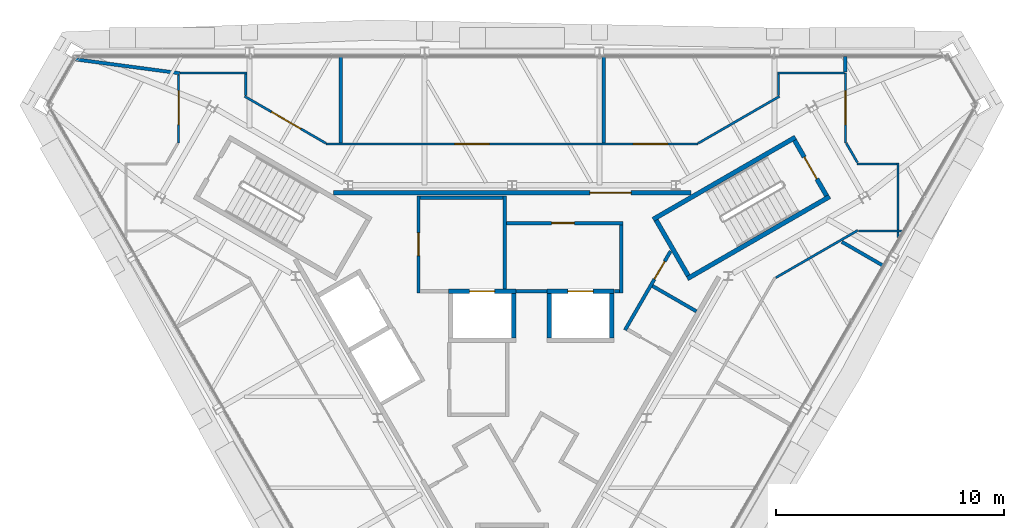
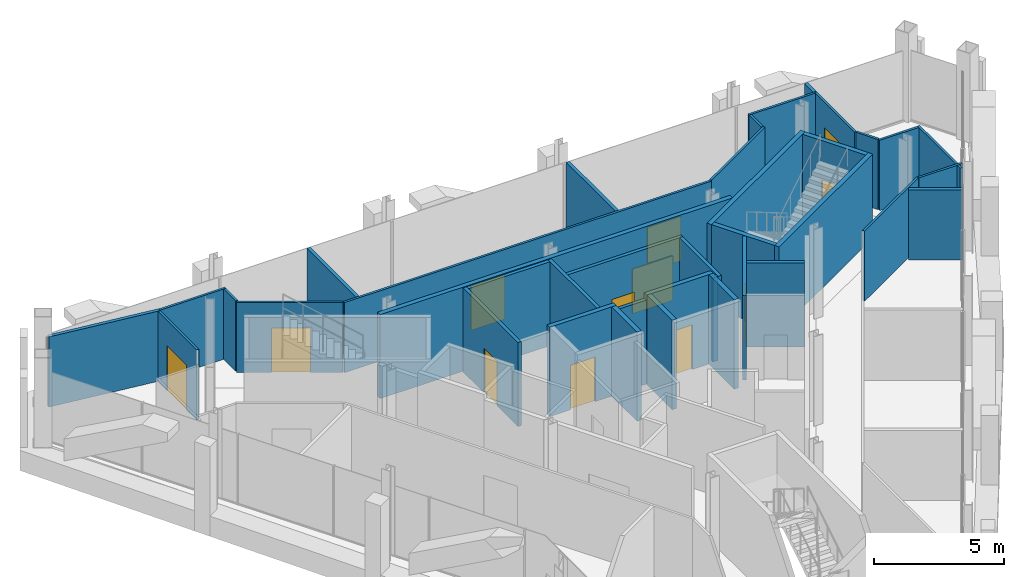
# One storey, part 10 of 13: 38 walls, 12 doors, 12 openings.
"""IFC4 building model written with IfcOpenShell, lengths in metres."""

import ifcopenshell
import ifcopenshell.guid

model = None  # the IFC model being written
_history = None  # IfcOwnerHistory: only IFC2X3 demands one
_inside = {}  # id of a spatial element -> (the spatial element, [elements in it])
_under = {}  # id of a project, library or spatial element -> (it, [spatial elements below it])
_declared = {}  # id of a project -> (the project, [libraries it declares])
_typed = {}  # id of a type object -> (the type object, [elements of that type])
_made_of = {}  # id of a material, layer set ... -> (it, [elements and type objects made of it])


def new_model(schema):
    """Start an empty IFC model of exactly this schema.

    Asked for "IFC4X3", IfcOpenShell would pick the latest addendum, in which some entities
    have other attributes; the version numbers below select the first issue.
    IFC2X3 requires an IfcOwnerHistory on every rooted entity: one is made here for all.
    """
    global model, _history
    if schema == "IFC4X3":
        model = ifcopenshell.file(schema_version=(4, 3, 0, 0))
    else:
        model = ifcopenshell.file(schema=schema)
    _inside.clear()
    _under.clear()
    _declared.clear()
    _typed.clear()
    _made_of.clear()
    _history = None
    if model.schema == "IFC2X3":
        org = make("IfcOrganization", Name="unknown")
        user = make(
            "IfcPersonAndOrganization",
            ThePerson=make("IfcPerson", FamilyName="unknown"),
            TheOrganization=org,
        )
        app = make(
            "IfcApplication",
            ApplicationDeveloper=org,
            Version="unknown",
            ApplicationFullName="unknown",
            ApplicationIdentifier="unknown",
        )
        _history = make(
            "IfcOwnerHistory",
            OwningUser=user,
            OwningApplication=app,
            ChangeAction="ADDED",
            CreationDate=0,
        )
    return model


def make(cls, **values):
    """One entity of the class cls with the attributes given. An attribute that is None is left unset."""
    return model.create_entity(
        cls, **{name: value for name, value in values.items() if value is not None}
    )


def rooted(cls, **values):
    """An entity with a GlobalId (a new one), such as an element, a storey or a relation."""
    return make(cls, GlobalId=ifcopenshell.guid.new(), OwnerHistory=_history, **values)


def si_unit(unit_type, name, prefix=None):
    """IfcSIUnit, for example si_unit("LENGTHUNIT", "METRE", prefix="MILLI")."""
    return make("IfcSIUnit", UnitType=unit_type, Prefix=prefix, Name=name)


def assignment(units):
    """IfcUnitAssignment: the units of a project."""
    return None if units is None else make("IfcUnitAssignment", Units=units)


def point(xyz):
    """IfcCartesianPoint."""
    return None if xyz is None else make("IfcCartesianPoint", Coordinates=xyz)


def direction(xyz):
    """IfcDirection."""
    return None if xyz is None else make("IfcDirection", DirectionRatios=xyz)


def frame(location, z_axis=None, x_axis=None):
    """IfcAxis2Placement3D, a coordinate frame: its origin and axes. An axis left out is left unset."""
    return make(
        "IfcAxis2Placement3D",
        Location=point(location),
        Axis=direction(z_axis),
        RefDirection=direction(x_axis),
    )


def frame_2d(location, x_axis=None):
    """IfcAxis2Placement2D, a coordinate frame in the plane: its origin and x axis."""
    return make(
        "IfcAxis2Placement2D", Location=point(location), RefDirection=direction(x_axis)
    )


def origin():
    """The frame at (0, 0, 0) with its axes left unset."""
    return frame((0.0, 0.0, 0.0))


def place(relative_to, where):
    """IfcLocalPlacement: puts the frame where relative to a parent placement (None: the world)."""
    return make(
        "IfcLocalPlacement", PlacementRelTo=relative_to, RelativePlacement=where
    )


def context(
    kind, dimensions, precision=None, world=None, true_north=None, identifier=None
):
    """IfcGeometricRepresentationContext, for example the 3D "Model" context."""
    return make(
        "IfcGeometricRepresentationContext",
        ContextIdentifier=identifier,
        ContextType=kind,
        CoordinateSpaceDimension=dimensions,
        Precision=precision,
        WorldCoordinateSystem=world,
        TrueNorth=true_north,
    )


def subcontext(parent, identifier, kind, view, scale=None):
    """IfcGeometricRepresentationSubContext, for example "Body" below "Model"."""
    return make(
        "IfcGeometricRepresentationSubContext",
        ContextIdentifier=identifier,
        ContextType=kind,
        ParentContext=parent,
        TargetScale=scale,
        TargetView=view,
    )


def project(units=None, contexts=None):
    """IfcProject with its units and contexts."""
    return rooted(
        "IfcProject",
        Name="project",
        RepresentationContexts=contexts,
        UnitsInContext=assignment(units),
    )


def spatial(cls, under=None, at=None, **own):
    """A site, building, storey or space (cls), placed at a placement, below another one or the project."""
    s = rooted(cls, ObjectPlacement=at, **own)
    if under is not None:
        _under.setdefault(under.id(), (under, []))[1].append(s)
    return s


def profile(cls, at=None, kind="AREA", **sizes):
    """A parametric profile (cls). Its sizes go by their IFC names, for example OverallWidth=200.0."""
    return make(cls, ProfileType=kind, Position=at, **sizes)


def rectangle(**sizes):
    """IfcRectangleProfileDef."""
    return profile("IfcRectangleProfileDef", **sizes)


def extrude(swept, where, along, depth):
    """IfcExtrudedAreaSolid: the profile swept, set in the frame where, extruded along a direction by depth."""
    return make(
        "IfcExtrudedAreaSolid",
        SweptArea=swept,
        Position=where,
        ExtrudedDirection=direction(along),
        Depth=depth,
    )


def shape(context_of_items, identifier, shape_type, items):
    """IfcShapeRepresentation: the items that make up one representation, for example the "Body"."""
    return make(
        "IfcShapeRepresentation",
        ContextOfItems=context_of_items,
        RepresentationIdentifier=identifier,
        RepresentationType=shape_type,
        Items=items,
    )


def material(Name=None, Category=None):
    """IfcMaterial."""
    return make("IfcMaterial", Name=Name, Category=Category)


def layer(
    of_material, thickness, ventilated=None, Name=None, Category=None, Priority=None
):
    """IfcMaterialLayer: one layer of a wall or slab, of a material (None: an air gap)."""
    return make(
        "IfcMaterialLayer",
        Material=of_material,
        LayerThickness=thickness,
        IsVentilated=ventilated,
        Name=Name,
        Category=Category,
        Priority=Priority,
    )


def layer_set(layers, Name=None):
    """IfcMaterialLayerSet."""
    return make("IfcMaterialLayerSet", MaterialLayers=layers, LayerSetName=Name)


def made_of(thing, what):
    """Note that an element or type object is made of a material, layer set ...; save() writes the relation."""
    if what is not None:
        _made_of.setdefault(what.id(), (what, []))[1].append(thing)
    return thing


def type_object(cls, material=None, **own):
    """A type object (cls), such as IfcWallType, which elements share."""
    return made_of(rooted(cls, **own), material)


def element(
    cls,
    number,
    at=None,
    inside=None,
    cuts=None,
    type_object=None,
    material=None,
    context=None,
    identifier="Body",
    shape_type=None,
    held_by="IfcProductDefinitionShape",
    body=None,
    shapes=None,
    **own,
):
    """One element of the class cls, such as IfcWall. Its Tag is "e" and its number.

    at: its placement. inside: the storey or other place that contains it. cuts: it is an
    opening in that element (IfcRelVoidsElement). A single representation is given by context,
    identifier, shape_type and body (its items); several are given by shapes. held_by: the class
    of the entity that holds the representations. save() writes the other relations.
    """
    e = rooted(cls, Tag="e%d" % number, ObjectPlacement=at, **own)
    if body is not None:
        shapes = [shape(context, identifier, shape_type, body)]
    if shapes is not None:
        e.Representation = make(held_by, Representations=shapes)
    if inside is not None:
        _inside.setdefault(inside.id(), (inside, []))[1].append(e)
    if cuts is not None:
        rooted(
            "IfcRelVoidsElement", RelatingBuildingElement=cuts, RelatedOpeningElement=e
        )
    if type_object is not None:
        _typed.setdefault(type_object.id(), (type_object, []))[1].append(e)
    return made_of(e, material)


def fill(opening, filler):
    """IfcRelFillsElement: the door or window that sits in an opening."""
    return rooted(
        "IfcRelFillsElement",
        RelatingOpeningElement=opening,
        RelatedBuildingElement=filler,
    )


def aggregate(whole, parts):
    """IfcRelAggregates: a whole, such as a stair, and the parts it consists of."""
    return rooted("IfcRelAggregates", RelatingObject=whole, RelatedObjects=parts)


def save(model, path):
    """Write the relations noted so far, then the file.

    IfcRelAggregates (storeys below a building ...), IfcRelContainedInSpatialStructure (elements
    in a storey), IfcRelDefinesByType, IfcRelAssociatesMaterial and IfcRelDeclares: one each for
    every whole, place, type object, material and project.
    """
    for whole, parts in _under.values():
        aggregate(whole, parts)
    for where, things in _inside.values():
        rooted(
            "IfcRelContainedInSpatialStructure",
            RelatedElements=things,
            RelatingStructure=where,
        )
    for kind, things in _typed.values():
        rooted("IfcRelDefinesByType", RelatedObjects=things, RelatingType=kind)
    for what, things in _made_of.values():
        rooted("IfcRelAssociatesMaterial", RelatedObjects=things, RelatingMaterial=what)
    for by, libraries in _declared.values():
        rooted("IfcRelDeclares", RelatingContext=by, RelatedDefinitions=libraries)
    model.write(path)


model = new_model("IFC4")

# Units and contexts
model_context = context("Model", 3, precision=1e-05, world=origin(), true_north=direction((0.0, 1.0)))
body_context = subcontext(model_context, "Body", "Model", "MODEL_VIEW")
ifc_project = project(units=[si_unit("LENGTHUNIT", "METRE"), si_unit("AREAUNIT", "SQUARE_METRE"), si_unit("VOLUMEUNIT", "CUBIC_METRE"), si_unit("PLANEANGLEUNIT", "RADIAN"), si_unit("MASSUNIT", "GRAM", prefix="KILO")], contexts=[model_context])

# Site, building, storey
site_placement = place(None, origin())
site = spatial("IfcSite", under=ifc_project, at=site_placement, CompositionType="ELEMENT")
building_placement = place(site_placement, origin())
building = spatial("IfcBuilding", under=site, at=building_placement, Name="Verrane Prism Tower", CompositionType="ELEMENT")
storey_placement = place(building_placement, frame((0.0, 0.0, 321.0)))
storey = spatial("IfcBuildingStorey", under=building, at=storey_placement, Name="L81", CompositionType="ELEMENT", Elevation=321.0)

# Wall, opening, door
ifc_material_1 = material(Name="Gypsum board partition", Category="other")
ifc_layer_1 = layer(ifc_material_1, 0.199951171875)
ifc_layer_set_1 = layer_set([ifc_layer_1], Name="CW-200 core boundary wall 2 h")
wall_type_1 = type_object("IfcWallType", Name="CW-200 core boundary wall 2 h", PredefinedType="PARTITIONING", material=ifc_layer_set_1)
wall_1_placement = place(storey_placement, frame((7.8291015625, 6.4599609375, 0.0), z_axis=(0.0, 0.0, 1.0), x_axis=(-1.0, 0.0, 0.0)))
wall_1 = element("IfcWall", 1, at=wall_1_placement, inside=storey, type_object=wall_type_1, Name="Core boundary wall CW3-002", PredefinedType="PARTITIONING", context=body_context, shape_type="SweptSolid", body=[
    extrude(rectangle(XDim=15.658203125, YDim=0.199951171875, at=frame_2d((7.8291015625, 0.0))), origin(), (0.0, 0.0, 1.0), 3.949951171875),
])
opening_1_placement = place(wall_1_placement, frame((2.617919921875, 0.0, 0.0)))
opening_1 = element("IfcOpeningElement", 2, at=opening_1_placement, cuts=wall_1, Name="Opening D81506", PredefinedType="OPENING", context=body_context, shape_type="SweptSolid", body=[
    extrude(rectangle(XDim=1.800048828125, YDim=2.10009765625, at=frame_2d((0.89990234375, 1.050048828125))), frame((0.0, 0.10986328125, 0.0), z_axis=(0.0, -1.0, 0.0), x_axis=(1.0, 0.0, 0.0)), (0.0, 0.0, 1.0), 0.219970703125),
])
ifc_material_2 = material(Name="Timber veneered door leaf", Category="wood")
door_type_1 = type_object("IfcDoorType", Name="DR-1800x2100 FD60 double leaf lift lobby", OperationType="NOTDEFINED", PredefinedType="DOOR", material=ifc_material_2)
door_1_placement = place(opening_1_placement, origin())
door_1 = element("IfcDoor", 3, at=door_1_placement, inside=storey, type_object=door_type_1, Name="Lift lobby door D81506", OperationType="DOUBLE_DOOR_SINGLE_SWING", OverallHeight=2.10009765625, OverallWidth=1.800048828125, PredefinedType="DOOR", context=body_context, shape_type="SweptSolid", body=[
    extrude(rectangle(XDim=1.800048828125, YDim=2.10009765625, at=frame_2d((0.89990234375, 1.050048828125))), frame((0.0, 0.02490234375, 0.0), z_axis=(0.0, -1.0, 0.0), x_axis=(1.0, 0.0, 0.0)), (0.0, 0.0, 1.0), 0.050048828125),
])
fill(opening_1, door_1)

ifc_material_3 = material(Name="Concrete C40/50", Category="concrete")
ifc_layer_2 = layer(ifc_material_3, 0.199951171875)
ifc_layer_set_2 = layer_set([ifc_layer_2], Name="CW-200 stair core wall concrete C40/50 3 h")
wall_type_2 = type_object("IfcWallType", Name="CW-200 stair core wall concrete C40/50 3 h", PredefinedType="PARTITIONING", material=ifc_layer_set_2)
wall_2_placement = place(storey_placement, frame((13.777099609375, 6.337646484375, 0.0), z_axis=(0.0, 0.0, 1.0), x_axis=(-0.500049511043, 0.865996816683, 0.0)))
wall_2 = element("IfcWall", 4, at=wall_2_placement, inside=storey, type_object=wall_type_2, Name="Stair 1 enclosure wall", PredefinedType="PARTITIONING", context=body_context, shape_type="SweptSolid", body=[
    extrude(rectangle(XDim=2.800048828125, YDim=0.199951171875, at=frame_2d((1.39990234375, 0.0))), origin(), (0.0, 0.0, 1.0), 3.949951171875),
])
opening_2_placement = place(wall_2_placement, frame((0.849853515625, 0.0, 0.0)))
opening_2 = element("IfcOpeningElement", 5, at=opening_2_placement, cuts=wall_2, Name="Opening D81500", PredefinedType="OPENING", context=body_context, shape_type="SweptSolid", body=[
    extrude(rectangle(XDim=1.10009765625, YDim=2.10009765625, at=frame_2d((0.550048828125, 1.050048828125))), frame((0.0, 0.10986328125, 0.0), z_axis=(0.0, -1.0, 0.0), x_axis=(1.0, 0.0, 0.0)), (0.0, 0.0, 1.0), 0.219970703125),
])
ifc_material_4 = material(Name="Timber veneered door leaf", Category="wood")
door_type_2 = type_object("IfcDoorType", Name="DR-1100x2100 FD90 single leaf stair", OperationType="NOTDEFINED", PredefinedType="DOOR", material=ifc_material_4)
door_2_placement = place(opening_2_placement, origin())
door_2 = element("IfcDoor", 6, at=door_2_placement, inside=storey, type_object=door_type_2, Name="Stair 1 door", OperationType="SINGLE_SWING_LEFT", OverallHeight=2.10009765625, OverallWidth=1.10009765625, PredefinedType="DOOR", context=body_context, shape_type="SweptSolid", body=[
    extrude(rectangle(XDim=1.10009765625, YDim=2.10009765625, at=frame_2d((0.550048828125, 1.050048828125))), frame((0.0, 0.02490234375, 0.0), z_axis=(0.0, -1.0, 0.0), x_axis=(1.0, 0.0, 0.0)), (0.0, 0.0, 1.0), 0.050048828125),
])
fill(opening_2, door_2)

# Walls
for number, where, z_axis, x_axis, name in (
    (7, (6.17822265625, 5.299072265625, 0.0), (0.0, 0.0, 1.0), (0.866033125095, 0.499986626058, 0.0), "Stair 1 enclosure wall"),
    (8, (7.67822265625, 2.700927734375, 0.0), (0.0, 0.0, 1.0), (0.866018442252, 0.500012057535, 0.0), "Stair 1 enclosure wall"),
):
    element("IfcWall", number, at=place(storey_placement, frame(where, z_axis=z_axis, x_axis=x_axis)), inside=storey, type_object=wall_type_2, Name=name, PredefinedType="PARTITIONING", context=body_context, shape_type="SweptSolid", body=[
        extrude(rectangle(XDim=7.199951171875, YDim=0.199951171875, at=frame_2d((3.60009765625, 0.0))), origin(), (0.0, 0.0, 1.0), 3.949951171875),
    ])
wall_3_placement = place(storey_placement, frame((7.71484375, 2.837646484375, 0.0), z_axis=(0.0, 0.0, 1.0), x_axis=(-0.500049511043, 0.865996816683, 0.0)))
element("IfcWall", 9, at=wall_3_placement, inside=storey, type_object=wall_type_2, Name="Stair 1 enclosure wall", PredefinedType="PARTITIONING", context=body_context, shape_type="SweptSolid", body=[
    extrude(rectangle(XDim=2.800048828125, YDim=0.199951171875, at=frame_2d((1.39990234375, 0.0))), origin(), (0.0, 0.0, 1.0), 3.949951171875),
])

# Wall, opening, door
ifc_material_5 = material(Name="Gypsum board shaft wall assembly", Category="other")
ifc_layer_3 = layer(ifc_material_5, 0.199951171875)
ifc_layer_set_3 = layer_set([ifc_layer_3], Name="HW-200 lift shaft wall 2 h")
wall_type_3 = type_object("IfcWallType", Name="HW-200 lift shaft wall 2 h", PredefinedType="PARTITIONING", material=ifc_layer_set_3)
wall_4_placement = place(storey_placement, frame((-2.784912109375, 2.14990234375, 0.0), z_axis=(0.0, 0.0, 1.0), x_axis=(1.0, 0.0, 0.0)))
wall_4 = element("IfcWall", 10, at=wall_4_placement, inside=storey, type_object=wall_type_3, Name="Lift shaft wall", PredefinedType="PARTITIONING", context=body_context, shape_type="SweptSolid", body=[
    extrude(rectangle(XDim=2.949951171875, YDim=0.199951171875, at=frame_2d((1.47509765625, 0.0))), origin(), (0.0, 0.0, 1.0), 4.199951171875),
])
opening_3_placement = place(wall_4_placement, frame((0.925048828125, 0.0, 0.0)))
opening_3 = element("IfcOpeningElement", 11, at=opening_3_placement, cuts=wall_4, Name="Opening D81503", PredefinedType="OPENING", context=body_context, shape_type="SweptSolid", body=[
    extrude(rectangle(XDim=1.10009765625, YDim=2.10009765625, at=frame_2d((0.550048828125, 1.050048828125))), frame((0.0, 0.10986328125, 0.0), z_axis=(0.0, -1.0, 0.0), x_axis=(1.0, 0.0, 0.0)), (0.0, 0.0, 1.0), 0.219970703125),
])
ifc_material_6 = material(Name="Stainless steel sliding landing door", Category="steel")
door_type_3 = type_object("IfcDoorType", Name="LD-1100x2100 lift landing door FD90 sliding", OperationType="NOTDEFINED", PredefinedType="DOOR", material=ifc_material_6)
door_3_placement = place(opening_3_placement, origin())
door_3 = element("IfcDoor", 12, at=door_3_placement, inside=storey, type_object=door_type_3, Name="Fire service lift 1 landing door", OperationType="SLIDING_TO_LEFT", OverallHeight=2.10009765625, OverallWidth=1.10009765625, PredefinedType="DOOR", context=body_context, shape_type="SweptSolid", body=[
    extrude(rectangle(XDim=1.10009765625, YDim=2.10009765625, at=frame_2d((0.550048828125, 1.050048828125))), frame((0.0, 0.02490234375, 0.0), z_axis=(0.0, -1.0, 0.0), x_axis=(1.0, 0.0, 0.0)), (0.0, 0.0, 1.0), 0.050048828125),
])
fill(opening_3, door_3)

wall_5_placement = place(storey_placement, frame((1.52490234375, 2.14990234375, 0.0), z_axis=(0.0, 0.0, 1.0), x_axis=(1.0, 0.0, 0.0)))
wall_5 = element("IfcWall", 13, at=wall_5_placement, inside=storey, type_object=wall_type_3, Name="Lift shaft wall", PredefinedType="PARTITIONING", context=body_context, shape_type="SweptSolid", body=[
    extrude(rectangle(XDim=2.9501953125, YDim=0.199951171875, at=frame_2d((1.47509765625, 0.0))), origin(), (0.0, 0.0, 1.0), 4.199951171875),
])
opening_4_placement = place(wall_5_placement, frame((0.925048828125, 0.0, 0.0)))
opening_4 = element("IfcOpeningElement", 14, at=opening_4_placement, cuts=wall_5, Name="Opening D81504", PredefinedType="OPENING", context=body_context, shape_type="SweptSolid", body=[
    extrude(rectangle(XDim=1.10009765625, YDim=2.10009765625, at=frame_2d((0.550048828125, 1.050048828125))), frame((0.0, 0.10986328125, 0.0), z_axis=(0.0, -1.0, 0.0), x_axis=(1.0, 0.0, 0.0)), (0.0, 0.0, 1.0), 0.219970703125),
])
door_4_placement = place(opening_4_placement, origin())
door_4 = element("IfcDoor", 15, at=door_4_placement, inside=storey, type_object=door_type_3, Name="Fire service lift 2 landing door", OperationType="SLIDING_TO_RIGHT", OverallHeight=2.10009765625, OverallWidth=1.10009765625, PredefinedType="DOOR", context=body_context, shape_type="SweptSolid", body=[
    extrude(rectangle(XDim=1.10009765625, YDim=2.10009765625, at=frame_2d((0.550048828125, 1.050048828125))), frame((0.0, 0.02490234375, 0.0), z_axis=(0.0, -1.0, 0.0), x_axis=(1.0, 0.0, 0.0)), (0.0, 0.0, 1.0), 0.050048828125),
])
fill(opening_4, door_4)

# Walls
for number, where, z_axis, x_axis, name in (
    (16, (4.375, 0.10009765625, 0.0), (0.0, 0.0, 1.0), (0.0, 1.0, 0.0), "Lift shaft wall"),
    (17, (1.625, 0.10009765625, 0.0), (0.0, 0.0, 1.0), (0.0, 1.0, 0.0), "Lift shaft wall"),
    (18, (0.06494140625, 0.10009765625, 0.0), (0.0, 0.0, 1.0), (0.0, 1.0, 0.0), "Lift shaft wall"),
):
    element("IfcWall", number, at=place(storey_placement, frame(where, z_axis=z_axis, x_axis=x_axis)), inside=storey, type_object=wall_type_3, Name=name, PredefinedType="PARTITIONING", context=body_context, shape_type="SweptSolid", body=[
        extrude(rectangle(XDim=1.949951171875, YDim=0.199951171875, at=frame_2d((0.97509765625, 0.0))), origin(), (0.0, 0.0, 1.0), 4.199951171875),
    ])

# Wall, opening, door
ifc_material_7 = material(Name="Gypsum board partition", Category="other")
ifc_layer_4 = layer(ifc_material_7, 0.14990234375)
ifc_layer_set_4 = layer_set([ifc_layer_4], Name="LF-150 firefighting lobby wall 1 h")
wall_type_4 = type_object("IfcWallType", Name="LF-150 firefighting lobby wall 1 h", PredefinedType="PARTITIONING", material=ifc_layer_set_4)
wall_6_placement = place(storey_placement, frame((-4.10009765625, 2.0849609375, 0.0), z_axis=(0.0, 0.0, 1.0), x_axis=(0.0, 1.0, 0.0)))
wall_6 = element("IfcWall", 19, at=wall_6_placement, inside=storey, type_object=wall_type_4, Name="Firefighting lobby wall LF1-001", PredefinedType="PARTITIONING", context=body_context, shape_type="SweptSolid", body=[
    extrude(rectangle(XDim=4.22998046875, YDim=0.14990234375, at=frame_2d((2.114990234375, 0.0))), origin(), (0.0, 0.0, 1.0), 3.949951171875),
])
opening_5_placement = place(wall_6_placement, frame((1.625, 0.0, 0.0)))
opening_5 = element("IfcOpeningElement", 20, at=opening_5_placement, cuts=wall_6, Name="Opening D81509", PredefinedType="OPENING", context=body_context, shape_type="SweptSolid", body=[
    extrude(rectangle(XDim=1.0, YDim=2.10009765625, at=frame_2d((0.5, 1.050048828125))), frame((0.0, 0.0849609375, 0.0), z_axis=(0.0, -1.0, 0.0), x_axis=(1.0, 0.0, 0.0)), (0.0, 0.0, 1.0), 0.169921875),
])
ifc_material_8 = material(Name="Timber veneered door leaf", Category="wood")
door_type_4 = type_object("IfcDoorType", Name="DR-1000x2100 FD60 single leaf firefighting lobby", OperationType="NOTDEFINED", PredefinedType="DOOR", material=ifc_material_8)
door_5_placement = place(opening_5_placement, origin())
door_5 = element("IfcDoor", 21, at=door_5_placement, inside=storey, type_object=door_type_4, Name="Firefighting lobby door D81509", OperationType="SINGLE_SWING_LEFT", OverallHeight=2.10009765625, OverallWidth=1.0, PredefinedType="DOOR", context=body_context, shape_type="SweptSolid", body=[
    extrude(rectangle(XDim=1.0, YDim=2.10009765625, at=frame_2d((0.5, 1.050048828125))), frame((0.0, 0.02490234375, 0.0), z_axis=(0.0, -1.0, 0.0), x_axis=(1.0, 0.0, 0.0)), (0.0, 0.0, 1.0), 0.050048828125),
])
fill(opening_5, door_5)

# Walls
wall_7_placement = place(storey_placement, frame((-4.02490234375, 6.239990234375, 0.0), z_axis=(0.0, 0.0, 1.0), x_axis=(1.0, 0.0, 0.0)))
element("IfcWall", 22, at=wall_7_placement, inside=storey, type_object=wall_type_4, Name="Firefighting lobby wall LF1-003", PredefinedType="PARTITIONING", context=body_context, shape_type="SweptSolid", body=[
    extrude(rectangle(XDim=3.6298828125, YDim=0.14990234375, at=frame_2d((1.81494140625, 0.0))), origin(), (0.0, 0.0, 1.0), 3.949951171875),
])
wall_8_placement = place(storey_placement, frame((-0.320068359375, 2.251953125, 0.0), z_axis=(0.0, 0.0, 1.0), x_axis=(0.0, 1.0, 0.0)))
element("IfcWall", 23, at=wall_8_placement, inside=storey, type_object=wall_type_4, Name="Firefighting lobby wall LF1-004", PredefinedType="PARTITIONING", context=body_context, shape_type="SweptSolid", body=[
    extrude(rectangle(XDim=4.06298828125, YDim=0.14990234375, at=frame_2d((2.031494140625, 0.0))), origin(), (0.0, 0.0, 1.0), 3.949951171875),
])

# Wall, opening, door
wall_9_placement = place(storey_placement, frame((-0.2451171875, 5.139892578125, 0.0), z_axis=(0.0, 0.0, 1.0), x_axis=(1.0, 0.0, 0.0)))
wall_9 = element("IfcWall", 24, at=wall_9_placement, inside=storey, type_object=wall_type_4, Name="Firefighting lobby wall LF1-005", PredefinedType="PARTITIONING", context=body_context, shape_type="SweptSolid", body=[
    extrude(rectangle(XDim=5.110107421875, YDim=0.14990234375, at=frame_2d((2.55517578125, 0.0))), origin(), (0.0, 0.0, 1.0), 3.949951171875),
])
opening_6_placement = place(wall_9_placement, frame((1.97509765625, 0.0, 0.0)))
opening_6 = element("IfcOpeningElement", 25, at=opening_6_placement, cuts=wall_9, Name="Opening D81512", PredefinedType="OPENING", context=body_context, shape_type="SweptSolid", body=[
    extrude(rectangle(XDim=1.0, YDim=2.10009765625, at=frame_2d((0.5, 1.050048828125))), frame((0.0, 0.0849609375, 0.0), z_axis=(0.0, -1.0, 0.0), x_axis=(1.0, 0.0, 0.0)), (0.0, 0.0, 1.0), 0.169921875),
])
door_6_placement = place(opening_6_placement, origin())
door_6 = element("IfcDoor", 26, at=door_6_placement, inside=storey, type_object=door_type_4, Name="Firefighting lobby door D81512", OperationType="SINGLE_SWING_RIGHT", OverallHeight=2.10009765625, OverallWidth=1.0, PredefinedType="DOOR", context=body_context, shape_type="SweptSolid", body=[
    extrude(rectangle(XDim=1.0, YDim=2.10009765625, at=frame_2d((0.5, 1.050048828125))), frame((0.0, 0.02490234375, 0.0), z_axis=(0.0, -1.0, 0.0), x_axis=(1.0, 0.0, 0.0)), (0.0, 0.0, 1.0), 0.050048828125),
])
fill(opening_6, door_6)

# Walls
wall_10_placement = place(storey_placement, frame((0.1669921875, 2.159912109375, 0.0), z_axis=(0.0, 0.0, 1.0), x_axis=(1.0, 0.0, 0.0)))
element("IfcWall", 27, at=wall_10_placement, inside=storey, type_object=wall_type_4, Name="Firefighting lobby wall LF1-006", PredefinedType="PARTITIONING", context=body_context, shape_type="SweptSolid", body=[
    extrude(rectangle(XDim=1.35595703125, YDim=0.14990234375, at=frame_2d((0.677978515625, 0.0))), origin(), (0.0, 0.0, 1.0), 3.949951171875),
])
wall_11_placement = place(storey_placement, frame((4.47705078125, 2.159912109375, 0.0), z_axis=(0.0, 0.0, 1.0), x_axis=(1.0, 0.0, 0.0)))
element("IfcWall", 28, at=wall_11_placement, inside=storey, type_object=wall_type_4, Name="Firefighting lobby wall LF1-007", PredefinedType="PARTITIONING", context=body_context, shape_type="SweptSolid", body=[
    extrude(rectangle(XDim=0.238037109375, YDim=0.14990234375, at=frame_2d((0.119140625, 0.0))), origin(), (0.0, 0.0, 1.0), 3.949951171875),
])
wall_12_placement = place(storey_placement, frame((4.7900390625, 2.0849609375, 0.0), z_axis=(0.0, 0.0, 1.0), x_axis=(0.0, 1.0, 0.0)))
element("IfcWall", 29, at=wall_12_placement, inside=storey, type_object=wall_type_4, Name="Firefighting lobby wall LF1-008", PredefinedType="PARTITIONING", context=body_context, shape_type="SweptSolid", body=[
    extrude(rectangle(XDim=2.97998046875, YDim=0.14990234375, at=frame_2d((1.489990234375, 0.0))), origin(), (0.0, 0.0, 1.0), 3.949951171875),
])

# Wall, opening, door
ifc_material_9 = material(Name="Gypsum board partition", Category="other")
ifc_layer_5 = layer(ifc_material_9, 0.10009765625)
ifc_layer_set_5 = layer_set([ifc_layer_5], Name="PW-100 crown corridor wall 1 h")
wall_type_5 = type_object("IfcWallType", Name="PW-100 crown corridor wall 1 h", PredefinedType="PARTITIONING", material=ifc_layer_set_5)
wall_13_placement = place(storey_placement, frame((-14.60888671875, 8.64599609375, 0.0), z_axis=(0.0, 0.0, 1.0), x_axis=(0.0, 1.0, 0.0)))
wall_13 = element("IfcWall", 30, at=wall_13_placement, inside=storey, type_object=wall_type_5, Name="Corridor wall 007", PredefinedType="PARTITIONING", context=body_context, shape_type="SweptSolid", body=[
    extrude(rectangle(XDim=2.98291015625, YDim=0.10009765625, at=frame_2d((1.491455078125, 0.0))), origin(), (0.0, 0.0, 1.0), 3.297119140625),
])
opening_7_placement = place(wall_13_placement, frame((0.800048828125, 0.0, 0.0)))
opening_7 = element("IfcOpeningElement", 31, at=opening_7_placement, cuts=wall_13, Name="Opening D81004", PredefinedType="OPENING", context=body_context, shape_type="SweptSolid", body=[
    extrude(rectangle(XDim=1.5, YDim=2.10009765625, at=frame_2d((0.75, 1.050048828125))), frame((0.0, 0.06005859375, 0.0), z_axis=(0.0, -1.0, 0.0), x_axis=(1.0, 0.0, 0.0)), (0.0, 0.0, 1.0), 0.1201171875),
])
ifc_material_10 = material(Name="Timber veneered door leaf", Category="wood")
door_type_5 = type_object("IfcDoorType", Name="DR-1500x2100 FD60 double leaf unit", OperationType="NOTDEFINED", PredefinedType="DOOR", material=ifc_material_10)
door_7_placement = place(opening_7_placement, origin())
door_7 = element("IfcDoor", 32, at=door_7_placement, inside=storey, type_object=door_type_5, Name="Mechanical Plant Room door", OperationType="DOUBLE_DOOR_SINGLE_SWING", OverallHeight=2.10009765625, OverallWidth=1.5, PredefinedType="DOOR", context=body_context, shape_type="SweptSolid", body=[
    extrude(rectangle(XDim=1.5, YDim=2.10009765625, at=frame_2d((0.75, 1.050048828125))), frame((0.0, 0.02490234375, 0.0), z_axis=(0.0, -1.0, 0.0), x_axis=(1.0, 0.0, 0.0)), (0.0, 0.0, 1.0), 0.050048828125),
])
fill(opening_7, door_7)

# Walls
wall_14_placement = place(storey_placement, frame((-14.549072265625, 11.708984375, 0.0), z_axis=(0.0, 0.0, 1.0), x_axis=(1.0, 0.0, 0.0)))
element("IfcWall", 33, at=wall_14_placement, inside=storey, type_object=wall_type_5, Name="Corridor wall 008", PredefinedType="PARTITIONING", context=body_context, shape_type="SweptSolid", body=[
    extrude(rectangle(XDim=2.927978515625, YDim=0.10009765625, at=frame_2d((1.4638671875, 0.0))), origin(), (0.0, 0.0, 1.0), 3.297119140625),
])
wall_15_placement = place(storey_placement, frame((-11.6708984375, 10.73388671875, 0.0), z_axis=(0.0, 0.0, 1.0), x_axis=(0.0, 1.0, 0.0)))
element("IfcWall", 34, at=wall_15_placement, inside=storey, type_object=wall_type_5, Name="Corridor wall 010", PredefinedType="PARTITIONING", context=body_context, shape_type="SweptSolid", body=[
    extrude(rectangle(XDim=0.925048828125, YDim=0.10009765625, at=frame_2d((0.46240234375, 0.0))), origin(), (0.0, 0.0, 1.0), 3.297119140625),
])

# Wall, opening, door
wall_16_placement = place(storey_placement, frame((-11.71435546875, 10.68896484375, 0.0), z_axis=(0.0, 0.0, 1.0), x_axis=(0.866029215606, -0.499993397673, 0.0)))
wall_16 = element("IfcWall", 35, at=wall_16_placement, inside=storey, type_object=wall_type_5, Name="Corridor wall 011", PredefinedType="PARTITIONING", context=body_context, shape_type="SweptSolid", body=[
    extrude(rectangle(XDim=4.10791015625, YDim=0.10009765625, at=frame_2d((2.053955078125, 0.0))), origin(), (0.0, 0.0, 1.0), 3.297119140625),
])
opening_8_placement = place(wall_16_placement, frame((1.35009765625, 0.0, 0.0)))
opening_8 = element("IfcOpeningElement", 36, at=opening_8_placement, cuts=wall_16, Name="Opening D81003", PredefinedType="OPENING", context=body_context, shape_type="SweptSolid", body=[
    extrude(rectangle(XDim=1.5, YDim=2.10009765625, at=frame_2d((0.75, 1.050048828125))), frame((0.0, 0.06005859375, 0.0), z_axis=(0.0, -1.0, 0.0), x_axis=(1.0, 0.0, 0.0)), (0.0, 0.0, 1.0), 0.1201171875),
])
door_8_placement = place(opening_8_placement, origin())
door_8 = element("IfcDoor", 37, at=door_8_placement, inside=storey, type_object=door_type_5, Name="Mechanical Plant Room door", OperationType="DOUBLE_DOOR_SINGLE_SWING", OverallHeight=2.10009765625, OverallWidth=1.5, PredefinedType="DOOR", context=body_context, shape_type="SweptSolid", body=[
    extrude(rectangle(XDim=1.5, YDim=2.10009765625, at=frame_2d((0.75, 1.050048828125))), frame((0.0, 0.02490234375, 0.0), z_axis=(0.0, -1.0, 0.0), x_axis=(1.0, 0.0, 0.0)), (0.0, 0.0, 1.0), 0.050048828125),
])
fill(opening_8, door_8)

# Wall, openings, doors
wall_17_placement = place(storey_placement, frame((-8.14599609375, 8.60009765625, 0.0), z_axis=(0.0, 0.0, 1.0), x_axis=(1.0, 0.0, 0.0)))
wall_17 = element("IfcWall", 38, at=wall_17_placement, inside=storey, type_object=wall_type_5, Name="Corridor wall 013", PredefinedType="PARTITIONING", context=body_context, shape_type="SweptSolid", body=[
    extrude(rectangle(XDim=16.2919921875, YDim=0.10009765625, at=frame_2d((8.14599609375, 0.0))), origin(), (0.0, 0.0, 1.0), 3.297119140625),
])
opening_9_placement = place(wall_17_placement, frame((13.4619140625, 0.0, 0.0)))
opening_9 = element("IfcOpeningElement", 39, at=opening_9_placement, cuts=wall_17, Name="Opening D81001", PredefinedType="OPENING", context=body_context, shape_type="SweptSolid", body=[
    extrude(rectangle(XDim=1.5, YDim=2.10009765625, at=frame_2d((0.75, 1.050048828125))), frame((0.0, 0.06005859375, 0.0), z_axis=(0.0, -1.0, 0.0), x_axis=(1.0, 0.0, 0.0)), (0.0, 0.0, 1.0), 0.1201171875),
])
opening_10_placement = place(wall_17_placement, frame((5.64111328125, 0.0, 0.0)))
opening_10 = element("IfcOpeningElement", 40, at=opening_10_placement, cuts=wall_17, Name="Opening D81002", PredefinedType="OPENING", context=body_context, shape_type="SweptSolid", body=[
    extrude(rectangle(XDim=1.5, YDim=2.10009765625, at=frame_2d((0.75, 1.050048828125))), frame((0.0, 0.06005859375, 0.0), z_axis=(0.0, -1.0, 0.0), x_axis=(1.0, 0.0, 0.0)), (0.0, 0.0, 1.0), 0.1201171875),
])
door_9_placement = place(opening_9_placement, origin())
door_9 = element("IfcDoor", 41, at=door_9_placement, inside=storey, type_object=door_type_5, Name="Mechanical Plant Room door", OperationType="DOUBLE_DOOR_SINGLE_SWING", OverallHeight=2.10009765625, OverallWidth=1.5, PredefinedType="DOOR", context=body_context, shape_type="SweptSolid", body=[
    extrude(rectangle(XDim=1.5, YDim=2.10009765625, at=frame_2d((0.75, 1.050048828125))), frame((0.0, 0.02490234375, 0.0), z_axis=(0.0, -1.0, 0.0), x_axis=(1.0, 0.0, 0.0)), (0.0, 0.0, 1.0), 0.050048828125),
])
fill(opening_9, door_9)
door_10_placement = place(opening_10_placement, origin())
door_10 = element("IfcDoor", 42, at=door_10_placement, inside=storey, type_object=door_type_5, Name="Mechanical Plant Room door", OperationType="DOUBLE_DOOR_SINGLE_SWING", OverallHeight=2.10009765625, OverallWidth=1.5, PredefinedType="DOOR", context=body_context, shape_type="SweptSolid", body=[
    extrude(rectangle(XDim=1.5, YDim=2.10009765625, at=frame_2d((0.75, 1.050048828125))), frame((0.0, 0.02490234375, 0.0), z_axis=(0.0, -1.0, 0.0), x_axis=(1.0, 0.0, 0.0)), (0.0, 0.0, 1.0), 0.050048828125),
])
fill(opening_10, door_10)

# Walls
wall_18_placement = place(storey_placement, frame((8.15673828125, 8.635009765625, 0.0), z_axis=(0.0, 0.0, 1.0), x_axis=(0.866029215606, 0.499993397673, 0.0)))
element("IfcWall", 43, at=wall_18_placement, inside=storey, type_object=wall_type_5, Name="Corridor wall 024", PredefinedType="PARTITIONING", context=body_context, shape_type="SweptSolid", body=[
    extrude(rectangle(XDim=4.10791015625, YDim=0.10009765625, at=frame_2d((2.053955078125, 0.0))), origin(), (0.0, 0.0, 1.0), 3.297119140625),
])
wall_19_placement = place(storey_placement, frame((11.556640625, 2.74609375, 0.0), z_axis=(0.0, 0.0, 1.0), x_axis=(0.866005840187, 0.500033883614, 0.0)))
element("IfcWall", 44, at=wall_19_placement, inside=storey, type_object=wall_type_5, Name="Corridor wall 026", PredefinedType="PARTITIONING", context=body_context, shape_type="SweptSolid", body=[
    extrude(rectangle(XDim=4.139404296875, YDim=0.10009765625, at=frame_2d((2.06982421875, 0.0))), origin(), (0.0, 0.0, 1.0), 3.297119140625),
])
wall_20_placement = place(storey_placement, frame((11.6708984375, 10.73388671875, 0.0), z_axis=(0.0, 0.0, 1.0), x_axis=(0.0, 1.0, 0.0)))
element("IfcWall", 45, at=wall_20_placement, inside=storey, type_object=wall_type_5, Name="Corridor wall 027", PredefinedType="PARTITIONING", context=body_context, shape_type="SweptSolid", body=[
    extrude(rectangle(XDim=0.925048828125, YDim=0.10009765625, at=frame_2d((0.46240234375, 0.0))), origin(), (0.0, 0.0, 1.0), 3.297119140625),
])
wall_21_placement = place(storey_placement, frame((11.62109375, 11.708984375, 0.0), z_axis=(0.0, 0.0, 1.0), x_axis=(1.0, 0.0, 0.0)))
element("IfcWall", 46, at=wall_21_placement, inside=storey, type_object=wall_type_5, Name="Corridor wall 028", PredefinedType="PARTITIONING", context=body_context, shape_type="SweptSolid", body=[
    extrude(rectangle(XDim=2.93798828125, YDim=0.10009765625, at=frame_2d((1.468994140625, 0.0))), origin(), (0.0, 0.0, 1.0), 3.297119140625),
])

# Wall, opening, door
wall_22_placement = place(storey_placement, frame((14.60888671875, 11.708984375, 0.0), z_axis=(0.0, 0.0, 1.0), x_axis=(0.0, -1.0, 0.0)))
wall_22 = element("IfcWall", 47, at=wall_22_placement, inside=storey, type_object=wall_type_5, Name="Corridor wall 031", PredefinedType="PARTITIONING", context=body_context, shape_type="SweptSolid", body=[
    extrude(rectangle(XDim=3.06298828125, YDim=0.10009765625, at=frame_2d((1.531494140625, 0.0))), origin(), (0.0, 0.0, 1.0), 3.297119140625),
])
opening_11_placement = place(wall_22_placement, frame((0.762939453125, 0.0, 0.0)))
opening_11 = element("IfcOpeningElement", 48, at=opening_11_placement, cuts=wall_22, Name="Opening D81011", PredefinedType="OPENING", context=body_context, shape_type="SweptSolid", body=[
    extrude(rectangle(XDim=1.5, YDim=2.10009765625, at=frame_2d((0.75, 1.050048828125))), frame((0.0, 0.06005859375, 0.0), z_axis=(0.0, -1.0, 0.0), x_axis=(1.0, 0.0, 0.0)), (0.0, 0.0, 1.0), 0.1201171875),
])
door_11_placement = place(opening_11_placement, origin())
door_11 = element("IfcDoor", 49, at=door_11_placement, inside=storey, type_object=door_type_5, Name="Mechanical Plant Room door", OperationType="DOUBLE_DOOR_SINGLE_SWING", OverallHeight=2.10009765625, OverallWidth=1.5, PredefinedType="DOOR", context=body_context, shape_type="SweptSolid", body=[
    extrude(rectangle(XDim=1.5, YDim=2.10009765625, at=frame_2d((0.75, 1.050048828125))), frame((0.0, 0.02490234375, 0.0), z_axis=(0.0, -1.0, 0.0), x_axis=(1.0, 0.0, 0.0)), (0.0, 0.0, 1.0), 0.050048828125),
])
fill(opening_11, door_11)

# Walls
wall_23_placement = place(storey_placement, frame((14.64404296875, 8.63525390625, 0.0), z_axis=(0.0, 0.0, 1.0), x_axis=(0.499823463829, -0.866127303003, 0.0)))
element("IfcWall", 50, at=wall_23_placement, inside=storey, type_object=wall_type_5, Name="Corridor wall 032", PredefinedType="PARTITIONING", context=body_context, shape_type="SweptSolid", body=[
    extrude(rectangle(XDim=0.976318359375, YDim=0.10009765625, at=frame_2d((0.48828125, 0.0))), origin(), (0.0, 0.0, 1.0), 3.297119140625),
])
wall_24_placement = place(storey_placement, frame((15.16796875, 4.791015625, 0.0), z_axis=(0.0, 0.0, 1.0), x_axis=(1.0, 0.0, 0.0)))
element("IfcWall", 51, at=wall_24_placement, inside=storey, type_object=wall_type_5, Name="Corridor wall 033", PredefinedType="PARTITIONING", context=body_context, shape_type="SweptSolid", body=[
    extrude(rectangle(XDim=1.926025390625, YDim=0.10009765625, at=frame_2d((0.962890625, 0.0))), origin(), (0.0, 0.0, 1.0), 3.297119140625),
])
wall_25_placement = place(storey_placement, frame((15.116943359375, 7.72900390625, 0.0), z_axis=(0.0, 0.0, 1.0), x_axis=(1.0, 0.0, 0.0)))
element("IfcWall", 52, at=wall_25_placement, inside=storey, type_object=wall_type_5, Name="Corridor wall 034", PredefinedType="PARTITIONING", context=body_context, shape_type="SweptSolid", body=[
    extrude(rectangle(XDim=1.741943359375, YDim=0.10009765625, at=frame_2d((0.87109375, 0.0))), origin(), (0.0, 0.0, 1.0), 3.297119140625),
])
wall_26_placement = place(storey_placement, frame((16.908935546875, 4.506591796875, 0.0), z_axis=(0.0, 0.0, 1.0), x_axis=(0.0, 1.0, 0.0)))
element("IfcWall", 53, at=wall_26_placement, inside=storey, type_object=wall_type_5, Name="Corridor wall 035", PredefinedType="PARTITIONING", context=body_context, shape_type="SweptSolid", body=[
    extrude(rectangle(XDim=3.2724609375, YDim=0.10009765625, at=frame_2d((1.63623046875, 0.0))), origin(), (0.0, 0.0, 1.0), 3.297119140625),
])
ifc_material_11 = material(Name="Gypsum board partition", Category="other")
ifc_layer_6 = layer(ifc_material_11, 0.14990234375)
ifc_layer_set_6 = layer_set([ifc_layer_6], Name="PW-150 demising wall 1 h")
wall_type_6 = type_object("IfcWallType", Name="PW-150 demising wall 1 h", PredefinedType="PARTITIONING", material=ifc_layer_set_6)
wall_27_placement = place(storey_placement, frame((-19.142822265625, 12.3125, 0.0), z_axis=(0.0, 0.0, 1.0), x_axis=(0.991256927963, -0.131945832693, 0.0)))
element("IfcWall", 54, at=wall_27_placement, inside=storey, type_object=wall_type_6, Name="Demising wall 001", PredefinedType="PARTITIONING", context=body_context, shape_type="SweptSolid", body=[
    extrude(rectangle(XDim=4.6240234375, YDim=0.14990234375, at=frame_2d((2.31201171875, 0.0))), origin(), (0.0, 0.0, 1.0), 3.297119140625),
])
for number, where, z_axis, x_axis, name in (
    (55, (-7.5048828125, 8.64990234375, 0.0), (0.0, 0.0, 1.0), (0.0, 1.0, 0.0), "Demising wall 015"),
    (56, (4.01611328125, 8.64990234375, 0.0), (0.0, 0.0, 1.0), (0.0, 1.0, 0.0), "Demising wall 022"),
):
    element("IfcWall", number, at=place(storey_placement, frame(where, z_axis=z_axis, x_axis=x_axis)), inside=storey, type_object=wall_type_6, Name=name, PredefinedType="PARTITIONING", context=body_context, shape_type="SweptSolid", body=[
        extrude(rectangle(XDim=3.783203125, YDim=0.14990234375, at=frame_2d((1.8916015625, 0.0))), origin(), (0.0, 0.0, 1.0), 3.297119140625),
    ])
wall_28_placement = place(storey_placement, frame((14.449462890625, 4.3154296875, 0.0), z_axis=(0.0, 0.0, 1.0), x_axis=(0.865991778511, -0.500058236159, 0.0)))
element("IfcWall", 57, at=wall_28_placement, inside=storey, type_object=wall_type_6, Name="Demising wall 029", PredefinedType="PARTITIONING", context=body_context, shape_type="SweptSolid", body=[
    extrude(rectangle(XDim=2.076904296875, YDim=0.14990234375, at=frame_2d((1.03857421875, 0.0))), origin(), (0.0, 0.0, 1.0), 3.297119140625),
])
wall_29_placement = place(storey_placement, frame((14.589111328125, 11.759033203125, 0.0), z_axis=(0.0, 0.0, 1.0), x_axis=(0.0, 1.0, 0.0)))
element("IfcWall", 58, at=wall_29_placement, inside=storey, type_object=wall_type_6, Name="Demising wall 030", PredefinedType="PARTITIONING", context=body_context, shape_type="SweptSolid", body=[
    extrude(rectangle(XDim=0.674072265625, YDim=0.14990234375, at=frame_2d((0.3369140625, 0.0))), origin(), (0.0, 0.0, 1.0), 3.297119140625),
])

# Wall, opening, door
ifc_material_12 = material(Name="Gypsum board partition", Category="other")
ifc_layer_7 = layer(ifc_material_12, 0.14990234375)
ifc_layer_set_7 = layer_set([ifc_layer_7], Name="RS-150 riser enclosure wall 1 h")
wall_type_7 = type_object("IfcWallType", Name="RS-150 riser enclosure wall 1 h", PredefinedType="PARTITIONING", material=ifc_layer_set_7)
wall_30_placement = place(storey_placement, frame((6.945556640625, 3.90966796875, 0.0), z_axis=(0.0, 0.0, 1.0), x_axis=(-0.50003111728, -0.866007437469, 0.0)))
wall_30 = element("IfcWall", 59, at=wall_30_placement, inside=storey, type_object=wall_type_7, Name="Riser wall RS3-014", PredefinedType="PARTITIONING", context=body_context, shape_type="SweptSolid", body=[
    extrude(rectangle(XDim=3.993896484375, YDim=0.14990234375, at=frame_2d((1.9970703125, 0.0))), origin(), (0.0, 0.0, 1.0), 3.949951171875),
])
opening_12_placement = place(wall_30_placement, frame((0.518798828125, 0.0, 0.0)))
opening_12 = element("IfcOpeningElement", 60, at=opening_12_placement, cuts=wall_30, Name="Opening D81514", PredefinedType="OPENING", context=body_context, shape_type="SweptSolid", body=[
    extrude(rectangle(XDim=0.89990234375, YDim=2.10009765625, at=frame_2d((0.449951171875, 1.050048828125))), frame((0.0, 0.0849609375, 0.0), z_axis=(0.0, -1.0, 0.0), x_axis=(1.0, 0.0, 0.0)), (0.0, 0.0, 1.0), 0.169921875),
])
ifc_material_13 = material(Name="Timber veneered door leaf", Category="wood")
door_type_6 = type_object("IfcDoorType", Name="DR-900x2100 FD60 single leaf riser", OperationType="NOTDEFINED", PredefinedType="DOOR", material=ifc_material_13)
door_12_placement = place(opening_12_placement, origin())
door_12 = element("IfcDoor", 61, at=door_12_placement, inside=storey, type_object=door_type_6, Name="Riser door D81514", OperationType="SINGLE_SWING_RIGHT", OverallHeight=2.10009765625, OverallWidth=0.89990234375, PredefinedType="DOOR", context=body_context, shape_type="SweptSolid", body=[
    extrude(rectangle(XDim=0.89990234375, YDim=2.10009765625, at=frame_2d((0.449951171875, 1.050048828125))), frame((0.0, 0.02490234375, 0.0), z_axis=(0.0, -1.0, 0.0), x_axis=(1.0, 0.0, 0.0)), (0.0, 0.0, 1.0), 0.050048828125),
])
fill(opening_12, door_12)

# Wall
wall_31_placement = place(storey_placement, frame((6.15087890625, 2.383544921875, 0.0), z_axis=(0.0, 0.0, 1.0), x_axis=(0.865971748, -0.500092923031, 0.0)))
element("IfcWall", 62, at=wall_31_placement, inside=storey, type_object=wall_type_7, Name="Riser wall RS3-016", PredefinedType="PARTITIONING", context=body_context, shape_type="SweptSolid", body=[
    extrude(rectangle(XDim=2.224609375, YDim=0.14990234375, at=frame_2d((1.1123046875, 0.0))), origin(), (0.0, 0.0, 1.0), 3.949951171875),
])

save(model, "model.ifc")
